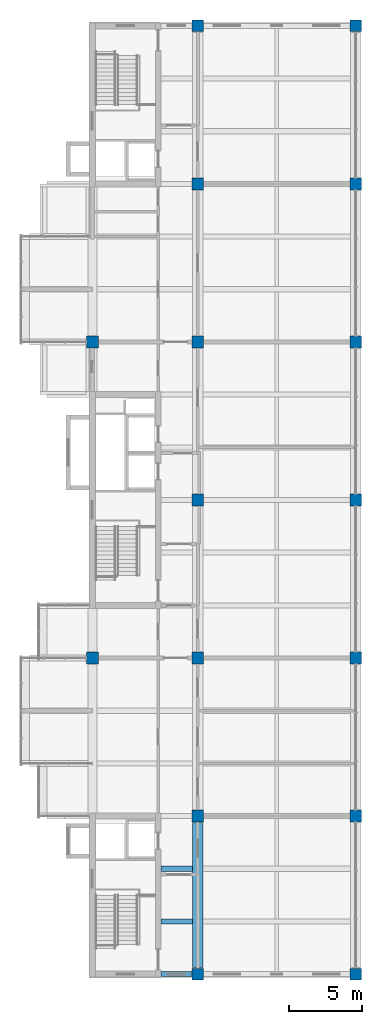
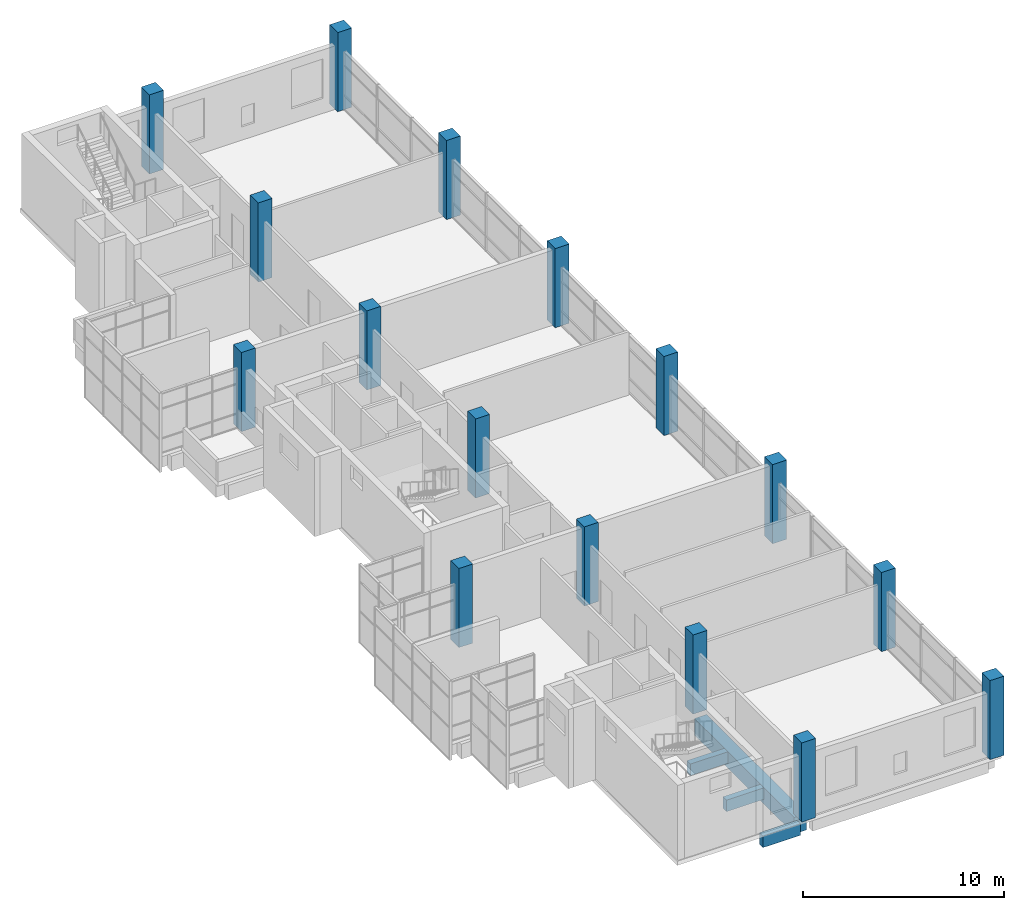
# One storey, part 1 of 14: 16 columns, 4 beams.
"""IFC4 building model written with IfcOpenShell, lengths in metres."""

from ifc_helpers import new_model, si_unit, direction, frame, origin, origin_2d, place, context, subcontext, project, spatial, rectangle, extrude, material, material_profile, profile_set, type_object, element, save


model = new_model("IFC4")

# Units and contexts
model_context = context("Model", 3, precision=1e-05, world=origin(), true_north=direction((0.0, 1.0)))
body_context = subcontext(model_context, "Body", "Model", "MODEL_VIEW")
ifc_project = project(units=[si_unit("LENGTHUNIT", "METRE"), si_unit("AREAUNIT", "SQUARE_METRE"), si_unit("VOLUMEUNIT", "CUBIC_METRE"), si_unit("PLANEANGLEUNIT", "RADIAN"), si_unit("MASSUNIT", "GRAM", prefix="KILO")], contexts=[model_context])

# Site, building, storey
site_placement = place(None, origin())
site = spatial("IfcSite", under=ifc_project, at=site_placement, CompositionType="ELEMENT")
building_placement = place(site_placement, origin())
building = spatial("IfcBuilding", under=site, at=building_placement, Name="Basin Gate Institute", CompositionType="ELEMENT")
storey_placement = place(building_placement, frame((0.0, 0.0, 60.60009765625)))
storey = spatial("IfcBuildingStorey", under=building, at=storey_placement, Name="L12", CompositionType="ELEMENT", Elevation=60.60009765625)

# Columns
ifc_material_1 = material(Name="Concrete 50 MPa", Category="concrete")
ifc_material_profile_1 = material_profile(ifc_material_1, rectangle(XDim=0.800048828125, YDim=0.800048828125, at=origin_2d()), Name="Column C4 800 x 800")
ifc_profile_set_1 = profile_set([ifc_material_profile_1], Name="Concrete 50 MPa")
column_type = type_object("IfcColumnType", Name="Column C4 R120", PredefinedType="COLUMN", material=ifc_profile_set_1)
for number, where, z_axis, x_axis, name in (
    (1, (61.199951171875, 56.699951171875, 0.0), (0.0, 0.0, 1.0), (1.0, 0.0, 0.0), "COL/L12/4C"),
    (2, (61.199951171875, 78.300048828125, 0.0), (0.0, 0.0, 1.0), (1.0, 0.0, 0.0), "COL/L12/4E"),
    (3, (68.39990234375, 35.10009765625, 0.0), (0.0, 0.0, 1.0), (1.0, 0.0, 0.0), "COL/L12/5A"),
    (4, (68.39990234375, 45.89990234375, 0.0), (0.0, 0.0, 1.0), (1.0, 0.0, 0.0), "COL/L12/5B"),
    (5, (68.39990234375, 56.699951171875, 0.0), (0.0, 0.0, 1.0), (1.0, 0.0, 0.0), "COL/L12/5C"),
    (6, (68.39990234375, 67.5, 0.0), (0.0, 0.0, 1.0), (1.0, 0.0, 0.0), "COL/L12/5D"),
    (7, (68.39990234375, 78.300048828125, 0.0), (0.0, 0.0, 1.0), (1.0, 0.0, 0.0), "COL/L12/5E"),
    (8, (68.39990234375, 89.10009765625, 0.0), (0.0, 0.0, 1.0), (1.0, 0.0, 0.0), "COL/L12/5F"),
    (9, (68.39990234375, 99.89990234375, 0.0), (0.0, 0.0, 1.0), (1.0, 0.0, 0.0), "COL/L12/5G"),
    (10, (79.199951171875, 35.10009765625, 0.0), (0.0, 0.0, 1.0), (1.0, 0.0, 0.0), "COL/L12/6A"),
    (11, (79.199951171875, 45.89990234375, 0.0), (0.0, 0.0, 1.0), (1.0, 0.0, 0.0), "COL/L12/6B"),
    (12, (79.199951171875, 56.699951171875, 0.0), (0.0, 0.0, 1.0), (1.0, 0.0, 0.0), "COL/L12/6C"),
    (13, (79.199951171875, 67.5, 0.0), (0.0, 0.0, 1.0), (1.0, 0.0, 0.0), "COL/L12/6D"),
    (14, (79.199951171875, 78.300048828125, 0.0), (0.0, 0.0, 1.0), (1.0, 0.0, 0.0), "COL/L12/6E"),
    (15, (79.199951171875, 89.10009765625, 0.0), (0.0, 0.0, 1.0), (1.0, 0.0, 0.0), "COL/L12/6F"),
    (16, (79.199951171875, 99.89990234375, 0.0), (0.0, 0.0, 1.0), (1.0, 0.0, 0.0), "COL/L12/6G"),
):
    element("IfcColumn", number, at=place(storey_placement, frame(where, z_axis=z_axis, x_axis=x_axis)), inside=storey, type_object=column_type, material=ifc_profile_set_1, Name=name, PredefinedType="COLUMN", context=body_context, shape_type="SweptSolid", body=[
        extrude(rectangle(XDim=0.800048828125, YDim=0.800048828125, at=origin_2d()), origin(), (0.0, 0.0, 1.0), 4.7998046875),
    ])

# Beams
ifc_material_2 = material(Name="Concrete 40 MPa", Category="concrete")
ifc_material_profile_2 = material_profile(ifc_material_2, rectangle(XDim=0.35009765625, YDim=0.699951171875, at=origin_2d()), Name="Beam B1 350 x 700")
ifc_profile_set_2 = profile_set([ifc_material_profile_2], Name="Concrete 40 MPa")
beam_type_1 = type_object("IfcBeamType", Name="Beam B1 R120", PredefinedType="BEAM", material=ifc_profile_set_2)
for number, where, z_axis, x_axis, name in (
    (17, (65.89990234375, 35.10009765625, -0.60009765625), (1.0, 0.0, 0.0), (0.0, 1.0, 0.0), "BEAM/L12/W/CORR/01"),
    (18, (65.89990234375, 38.699951171875, -0.60009765625), (1.0, 0.0, 0.0), (0.0, 1.0, 0.0), "BEAM/L12/W/CORR/02"),
    (19, (65.89990234375, 42.300048828125, -0.60009765625), (1.0, 0.0, 0.0), (0.0, 1.0, 0.0), "BEAM/L12/W/CORR/03"),
):
    element("IfcBeam", number, at=place(storey_placement, frame(where, z_axis=z_axis, x_axis=x_axis)), inside=storey, type_object=beam_type_1, material=ifc_profile_set_2, Name=name, PredefinedType="BEAM", context=body_context, shape_type="SweptSolid", body=[
        extrude(rectangle(XDim=0.35009765625, YDim=0.699951171875, at=origin_2d()), origin(), (0.0, 0.0, 1.0), 2.150146484375),
    ])
ifc_material_3 = material(Name="Concrete 50 MPa", Category="concrete")
ifc_material_profile_3 = material_profile(ifc_material_3, rectangle(XDim=0.699951171875, YDim=1.0, at=origin_2d()), Name="Girder G1 700 x 1000")
ifc_profile_set_3 = profile_set([ifc_material_profile_3], Name="Concrete 50 MPa")
beam_type_2 = type_object("IfcBeamType", Name="Girder G1 R120", PredefinedType="BEAM", material=ifc_profile_set_3)
beam_placement = place(storey_placement, frame((68.39990234375, 35.550048828125, -0.75), z_axis=(0.0, 1.0, 0.0), x_axis=(-1.0, 0.0, 0.0)))
element("IfcBeam", 20, at=beam_placement, inside=storey, type_object=beam_type_2, material=ifc_profile_set_3, Name="GIR/L12/W5/1", PredefinedType="BEAM", context=body_context, shape_type="SweptSolid", body=[
    extrude(rectangle(XDim=0.699951171875, YDim=1.0, at=origin_2d()), origin(), (0.0, 0.0, 1.0), 9.89990234375),
])

save(model, "model.ifc")
